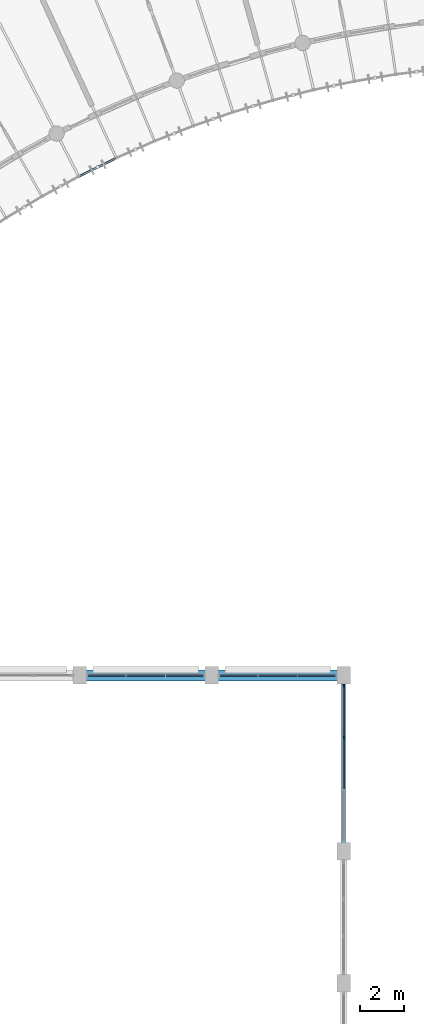
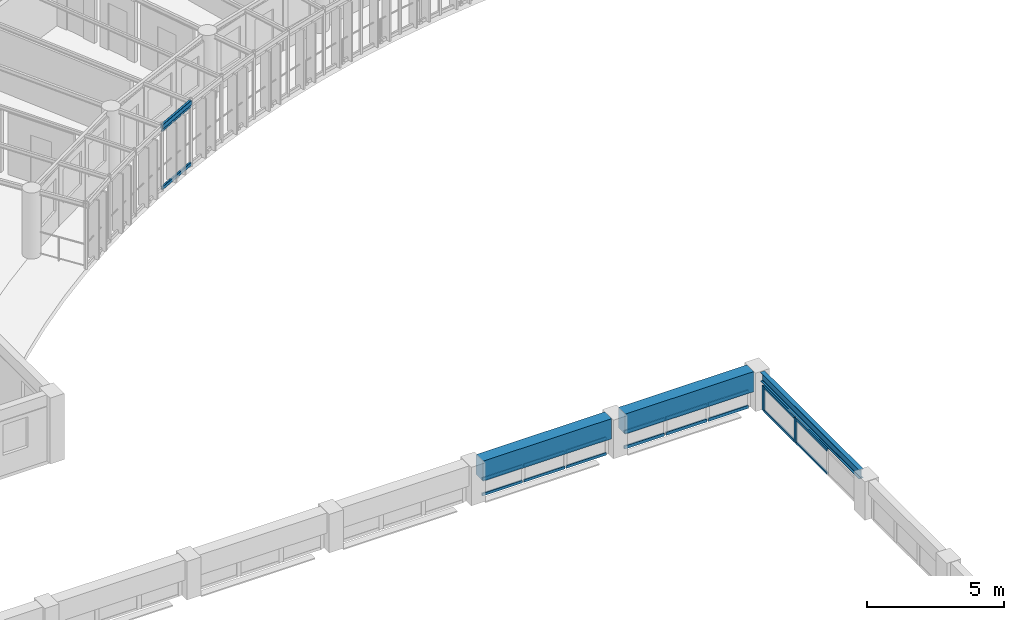
# One storey, part 47 of 137: 20 members, 4 beams, 3 elements without a shape of their own.
"""IFC4 building model written with IfcOpenShell, lengths in metres."""

from ifc_helpers import new_model, si_unit, direction, frame, origin, origin_2d, place, context, subcontext, project, spatial, rectangle, hollow_rectangle, i_section, extrude, material, layer, layer_set, material_profile, profile_set, type_object, element, aggregate, save


model = new_model("IFC4")

# Units and contexts
model_context = context("Model", 3, precision=1e-05, world=origin(), true_north=direction((0.0, 1.0)))
body_context = subcontext(model_context, "Body", "Model", "MODEL_VIEW")
ifc_project = project(units=[si_unit("LENGTHUNIT", "METRE"), si_unit("AREAUNIT", "SQUARE_METRE"), si_unit("VOLUMEUNIT", "CUBIC_METRE"), si_unit("PLANEANGLEUNIT", "RADIAN"), si_unit("MASSUNIT", "GRAM", prefix="KILO"), si_unit("POWERUNIT", "WATT"), si_unit("THERMODYNAMICTEMPERATUREUNIT", "KELVIN")], contexts=[model_context])

# Site, building, storey
site_placement = place(None, origin())
site = spatial("IfcSite", under=ifc_project, at=site_placement, CompositionType="ELEMENT")
building_placement = place(site_placement, origin())
building = spatial("IfcBuilding", under=site, at=building_placement, Name="Ruvembo Vaulted Housing Court", CompositionType="ELEMENT")
storey_placement = place(building_placement, frame((0.0, 0.0, 4.5)))
storey = spatial("IfcBuildingStorey", under=building, at=storey_placement, Name="L01", CompositionType="ELEMENT", Elevation=4.5)

# Beams
ifc_material_1 = material(Name="Steel S355J2", Category="steel")
ifc_material_profile_1 = material_profile(ifc_material_1, i_section(OverallWidth=0.179931640625, OverallDepth=0.39990234375, WebThickness=0.008544921875, FlangeThickness=0.013427734375, FilletRadius=0.02099609375, at=origin_2d()), Name="IPE 400")
ifc_profile_set_1 = profile_set([ifc_material_profile_1], Name="Steel S355J2")
beam_type_1 = type_object("IfcBeamType", Name="BM-ST-IPE400", PredefinedType="BEAM", material=ifc_profile_set_1)
beam_1_placement = place(storey_placement, frame((108.0, 60.385009765625, 1.493896484375), z_axis=(0.0, 1.0, 0.0), x_axis=(-1.0, 0.0, 0.0)))
element("IfcBeam", 1, at=beam_1_placement, inside=storey, type_object=beam_type_1, Name="L01 Grid Beam Y #1395", PredefinedType="BEAM", context=body_context, shape_type="SweptSolid", body=[
    extrude(i_section(OverallWidth=0.179931640625, OverallDepth=0.39990234375, WebThickness=0.008544921875, FlangeThickness=0.013427734375, FilletRadius=0.02099609375, at=origin_2d()), origin(), (0.0, 0.0, 1.0), 7.22998046875),
])
ifc_material_profile_2 = material_profile(ifc_material_1, hollow_rectangle(XDim=0.10009765625, YDim=0.199951171875, WallThickness=0.008056640625, InnerFilletRadius=0.008056640625, OuterFilletRadius=0.01611328125, at=origin_2d()), Name="RHS 200x100x8")
ifc_profile_set_2 = profile_set([ifc_material_profile_2], Name="Steel S355J2")
beam_type_2 = type_object("IfcBeamType", Name="BM-ST-RHS200", PredefinedType="SPANDREL", material=ifc_profile_set_2)
beam_2_placement = place(storey_placement, frame((95.95751953125, 90.6796875, 2.840087890625), z_axis=(0.897513310314, 0.44098736695, 0.0), x_axis=(-0.44098736695, 0.897513310314, 0.0)))
element("IfcBeam", 2, at=beam_2_placement, inside=storey, type_object=beam_type_2, Name="Scoop SC3 L01 Balcony Edge Spandrel 3", PredefinedType="SPANDREL", context=body_context, shape_type="SweptSolid", body=[
    extrude(hollow_rectangle(XDim=0.10009765625, YDim=0.199951171875, WallThickness=0.008056640625, InnerFilletRadius=0.008056640625, OuterFilletRadius=0.01611328125, at=origin_2d()), origin(), (0.0, 0.0, 1.0), 1.901123046875),
])

# Curtain wall, members
ifc_material_2 = material(Name="Anodised Aluminium and Solar-Control Glass", Category="aluminium")
ifc_layer_1 = layer(ifc_material_2, 0.179931640625, Name="Anodised Aluminium and Solar-Control Glass")
ifc_layer_set_1 = layer_set([ifc_layer_1], Name="Anodised Aluminium and Solar-Control Glass")
curtain_wall_type_1 = type_object("IfcCurtainWallType", Name="CW-HALL-TYMP", PredefinedType="NOTDEFINED", material=ifc_layer_set_1)
curtain_wall_1_placement = place(storey_placement, origin())
curtain_wall_1 = element("IfcCurtainWall", 3, at=curtain_wall_1_placement, inside=storey, type_object=curtain_wall_type_1, Name="L01 Curtain Wall CW-L01-0128", PredefinedType="NOTDEFINED")
ifc_material_3 = material(Name="Anodised Aluminium 6063-T6", Category="aluminium")
ifc_material_profile_3 = material_profile(ifc_material_3, rectangle(XDim=0.06005859375, YDim=0.139892578125, at=origin_2d()), Name="ALU 60x140")
ifc_profile_set_3 = profile_set([ifc_material_profile_3], Name="Anodised Aluminium 6063-T6")
member_type_1 = type_object("IfcMemberType", Name="CW-MUL-60x140", PredefinedType="MULLION", material=ifc_profile_set_3)
member_1_placement = place(storey_placement, frame((108.0, 65.183349609375, 0.0), z_axis=(0.0, 0.0, 1.0), x_axis=(-1.0, 0.0, 0.0)))
member_1 = element("IfcMember", 4, at=member_1_placement, type_object=member_type_1, Name="CW2 mullion 3", PredefinedType="MULLION", context=body_context, shape_type="SweptSolid", body=[
    extrude(rectangle(XDim=0.06005859375, YDim=0.139892578125, at=origin_2d()), origin(), (0.0, 0.0, 1.0), 1.10009765625),
])
member_2_placement = place(storey_placement, frame((108.0, 67.52001953125, 0.0), z_axis=(0.0, 0.0, 1.0), x_axis=(-1.0, 0.0, 0.0)))
member_2 = element("IfcMember", 5, at=member_2_placement, type_object=member_type_1, Name="CW2 mullion 4", PredefinedType="MULLION", context=body_context, shape_type="SweptSolid", body=[
    extrude(rectangle(XDim=0.06005859375, YDim=0.139892578125, at=origin_2d()), origin(), (0.0, 0.0, 1.0), 1.10009765625),
])

ifc_layer_2 = layer(ifc_material_2, 0.139892578125, Name="Anodised Aluminium and Solar-Control Glass")
ifc_layer_set_2 = layer_set([ifc_layer_2], Name="Anodised Aluminium and Solar-Control Glass")
curtain_wall_type_2 = type_object("IfcCurtainWallType", Name="CW-HALL-CLER", PredefinedType="NOTDEFINED", material=ifc_layer_set_2)
curtain_wall_2_placement = place(storey_placement, origin())
curtain_wall_2 = element("IfcCurtainWall", 6, at=curtain_wall_2_placement, inside=storey, type_object=curtain_wall_type_2, Name="L01 Curtain Wall CW-L01-0108", PredefinedType="NOTDEFINED")
ifc_material_profile_4 = material_profile(ifc_material_3, rectangle(XDim=0.06005859375, YDim=0.1201171875, at=origin_2d()), Name="ALU 60x120")
ifc_profile_set_4 = profile_set([ifc_material_profile_4], Name="Anodised Aluminium 6063-T6")
member_type_2 = type_object("IfcMemberType", Name="CW-TRANSOM-65x120", PredefinedType="USERDEFINED", material=ifc_profile_set_4)
member_3_placement = place(storey_placement, frame((96.385009765625, 68.0, 0.030029296875), z_axis=(1.0, 0.0, 0.0), x_axis=(0.0, 1.0, 0.0)))
member_3 = element("IfcMember", 7, at=member_3_placement, type_object=member_type_2, Name="CW7 transom 1.1", ObjectType="TRANSOM", PredefinedType="USERDEFINED", context=body_context, shape_type="SweptSolid", body=[
    extrude(rectangle(XDim=0.06005859375, YDim=0.1201171875, at=origin_2d()), origin(), (0.0, 0.0, 1.0), 1.693359375),
])
member_4_placement = place(storey_placement, frame((96.385009765625, 68.0, 0.719970703125), z_axis=(1.0, 0.0, 0.0), x_axis=(0.0, 1.0, 0.0)))
member_4 = element("IfcMember", 8, at=member_4_placement, type_object=member_type_2, Name="CW7 transom 1.2", ObjectType="TRANSOM", PredefinedType="USERDEFINED", context=body_context, shape_type="SweptSolid", body=[
    extrude(rectangle(XDim=0.06005859375, YDim=0.1201171875, at=origin_2d()), origin(), (0.0, 0.0, 1.0), 1.693359375),
])
member_5_placement = place(storey_placement, frame((98.138427734375, 68.0, 0.030029296875), z_axis=(1.0, 0.0, 0.0), x_axis=(0.0, 1.0, 0.0)))
member_5 = element("IfcMember", 9, at=member_5_placement, type_object=member_type_2, Name="CW7 transom 2.1", ObjectType="TRANSOM", PredefinedType="USERDEFINED", context=body_context, shape_type="SweptSolid", body=[
    extrude(rectangle(XDim=0.06005859375, YDim=0.1201171875, at=origin_2d()), origin(), (0.0, 0.0, 1.0), 1.72314453125),
])
member_6_placement = place(storey_placement, frame((98.138427734375, 68.0, 0.719970703125), z_axis=(1.0, 0.0, 0.0), x_axis=(0.0, 1.0, 0.0)))
member_6 = element("IfcMember", 10, at=member_6_placement, type_object=member_type_2, Name="CW7 transom 2.2", ObjectType="TRANSOM", PredefinedType="USERDEFINED", context=body_context, shape_type="SweptSolid", body=[
    extrude(rectangle(XDim=0.06005859375, YDim=0.1201171875, at=origin_2d()), origin(), (0.0, 0.0, 1.0), 1.72314453125),
])
member_7_placement = place(storey_placement, frame((99.921630859375, 68.0, 0.030029296875), z_axis=(1.0, 0.0, 0.0), x_axis=(0.0, 1.0, 0.0)))
member_7 = element("IfcMember", 11, at=member_7_placement, type_object=member_type_2, Name="CW7 transom 3.1", ObjectType="TRANSOM", PredefinedType="USERDEFINED", context=body_context, shape_type="SweptSolid", body=[
    extrude(rectangle(XDim=0.06005859375, YDim=0.1201171875, at=origin_2d()), origin(), (0.0, 0.0, 1.0), 1.693359375),
])
member_8_placement = place(storey_placement, frame((99.921630859375, 68.0, 0.719970703125), z_axis=(1.0, 0.0, 0.0), x_axis=(0.0, 1.0, 0.0)))
member_8 = element("IfcMember", 12, at=member_8_placement, type_object=member_type_2, Name="CW7 transom 3.2", ObjectType="TRANSOM", PredefinedType="USERDEFINED", context=body_context, shape_type="SweptSolid", body=[
    extrude(rectangle(XDim=0.06005859375, YDim=0.1201171875, at=origin_2d()), origin(), (0.0, 0.0, 1.0), 1.693359375),
])
aggregate(curtain_wall_2, [member_3, member_4, member_5, member_6, member_7, member_8])

# Member
ifc_material_profile_5 = material_profile(ifc_material_3, rectangle(XDim=0.06005859375, YDim=0.10009765625, at=origin_2d()), Name="ALU 60x100")
ifc_profile_set_5 = profile_set([ifc_material_profile_5], Name="Anodised Aluminium 6063-T6")
member_type_3 = type_object("IfcMemberType", Name="CW-TRN-60x100", PredefinedType="USERDEFINED", material=ifc_profile_set_5)
member_9_placement = place(storey_placement, frame((108.0, 62.8466796875, 0.030029296875), z_axis=(0.0, 1.0, 0.0), x_axis=(-1.0, 0.0, 0.0)))
member_9 = element("IfcMember", 13, at=member_9_placement, type_object=member_type_3, Name="CW2 transom 2.1", ObjectType="TRANSOM", PredefinedType="USERDEFINED", context=body_context, shape_type="SweptSolid", body=[
    extrude(rectangle(XDim=0.06005859375, YDim=0.10009765625, at=origin_2d()), origin(), (0.0, 0.0, 1.0), 2.306640625),
])

member_10_placement = place(storey_placement, frame((108.0, 62.8466796875, 1.070068359375), z_axis=(0.0, 1.0, 0.0), x_axis=(-1.0, 0.0, 0.0)))
member_10 = element("IfcMember", 14, at=member_10_placement, type_object=member_type_3, Name="CW2 transom 2.2", ObjectType="TRANSOM", PredefinedType="USERDEFINED", context=body_context, shape_type="SweptSolid", body=[
    extrude(rectangle(XDim=0.06005859375, YDim=0.10009765625, at=origin_2d()), origin(), (0.0, 0.0, 1.0), 2.306640625),
])

member_11_placement = place(storey_placement, frame((108.0, 65.21337890625, 0.030029296875), z_axis=(0.0, 1.0, 0.0), x_axis=(-1.0, 0.0, 0.0)))
member_11 = element("IfcMember", 15, at=member_11_placement, type_object=member_type_3, Name="CW2 transom 3.1", ObjectType="TRANSOM", PredefinedType="USERDEFINED", context=body_context, shape_type="SweptSolid", body=[
    extrude(rectangle(XDim=0.06005859375, YDim=0.10009765625, at=origin_2d()), origin(), (0.0, 0.0, 1.0), 2.276611328125),
])

member_12_placement = place(storey_placement, frame((108.0, 65.21337890625, 1.070068359375), z_axis=(0.0, 1.0, 0.0), x_axis=(-1.0, 0.0, 0.0)))
member_12 = element("IfcMember", 16, at=member_12_placement, type_object=member_type_3, Name="CW2 transom 3.2", ObjectType="TRANSOM", PredefinedType="USERDEFINED", context=body_context, shape_type="SweptSolid", body=[
    extrude(rectangle(XDim=0.06005859375, YDim=0.10009765625, at=origin_2d()), origin(), (0.0, 0.0, 1.0), 2.276611328125),
])

aggregate(curtain_wall_1, [member_1, member_2, member_9, member_10, member_11, member_12])

# Curtain wall, members
curtain_wall_3_placement = place(storey_placement, origin())
curtain_wall_3 = element("IfcCurtainWall", 17, at=curtain_wall_3_placement, inside=storey, type_object=curtain_wall_type_2, Name="L01 Curtain Wall CW-L01-0112", PredefinedType="NOTDEFINED")
ifc_material_profile_6 = material_profile(ifc_material_3, rectangle(XDim=0.06494140625, YDim=0.135009765625, at=origin_2d()), Name="ALU 65x135")
ifc_profile_set_6 = profile_set([ifc_material_profile_6], Name="Anodised Aluminium 6063-T6")
member_type_4 = type_object("IfcMemberType", Name="CW-TRN-65x135", PredefinedType="USERDEFINED", material=ifc_profile_set_6)
member_13_placement = place(storey_placement, frame((102.385009765625, 68.0, 0.032470703125), z_axis=(1.0, 0.0, 0.0), x_axis=(0.0, 1.0, 0.0)))
member_13 = element("IfcMember", 18, at=member_13_placement, type_object=member_type_4, Name="CW7 transom 1.1", ObjectType="TRANSOM", PredefinedType="USERDEFINED", context=body_context, shape_type="SweptSolid", body=[
    extrude(rectangle(XDim=0.06494140625, YDim=0.135009765625, at=origin_2d()), origin(), (0.0, 0.0, 1.0), 1.693359375),
])
member_14_placement = place(storey_placement, frame((102.385009765625, 68.0, 0.717529296875), z_axis=(1.0, 0.0, 0.0), x_axis=(0.0, 1.0, 0.0)))
member_14 = element("IfcMember", 19, at=member_14_placement, type_object=member_type_4, Name="CW7 transom 1.2", ObjectType="TRANSOM", PredefinedType="USERDEFINED", context=body_context, shape_type="SweptSolid", body=[
    extrude(rectangle(XDim=0.06494140625, YDim=0.135009765625, at=origin_2d()), origin(), (0.0, 0.0, 1.0), 1.693359375),
])
member_15_placement = place(storey_placement, frame((104.138427734375, 68.0, 0.032470703125), z_axis=(1.0, 0.0, 0.0), x_axis=(0.0, 1.0, 0.0)))
member_15 = element("IfcMember", 20, at=member_15_placement, type_object=member_type_4, Name="CW7 transom 2.1", ObjectType="TRANSOM", PredefinedType="USERDEFINED", context=body_context, shape_type="SweptSolid", body=[
    extrude(rectangle(XDim=0.06494140625, YDim=0.135009765625, at=origin_2d()), origin(), (0.0, 0.0, 1.0), 1.72314453125),
])
member_16_placement = place(storey_placement, frame((104.138427734375, 68.0, 0.717529296875), z_axis=(1.0, 0.0, 0.0), x_axis=(0.0, 1.0, 0.0)))
member_16 = element("IfcMember", 21, at=member_16_placement, type_object=member_type_4, Name="CW7 transom 2.2", ObjectType="TRANSOM", PredefinedType="USERDEFINED", context=body_context, shape_type="SweptSolid", body=[
    extrude(rectangle(XDim=0.06494140625, YDim=0.135009765625, at=origin_2d()), origin(), (0.0, 0.0, 1.0), 1.72314453125),
])
member_17_placement = place(storey_placement, frame((105.921630859375, 68.0, 0.032470703125), z_axis=(1.0, 0.0, 0.0), x_axis=(0.0, 1.0, 0.0)))
member_17 = element("IfcMember", 22, at=member_17_placement, type_object=member_type_4, Name="CW7 transom 3.1", ObjectType="TRANSOM", PredefinedType="USERDEFINED", context=body_context, shape_type="SweptSolid", body=[
    extrude(rectangle(XDim=0.06494140625, YDim=0.135009765625, at=origin_2d()), origin(), (0.0, 0.0, 1.0), 1.693359375),
])
member_18_placement = place(storey_placement, frame((105.921630859375, 68.0, 0.717529296875), z_axis=(1.0, 0.0, 0.0), x_axis=(0.0, 1.0, 0.0)))
member_18 = element("IfcMember", 23, at=member_18_placement, type_object=member_type_4, Name="CW7 transom 3.2", ObjectType="TRANSOM", PredefinedType="USERDEFINED", context=body_context, shape_type="SweptSolid", body=[
    extrude(rectangle(XDim=0.06494140625, YDim=0.135009765625, at=origin_2d()), origin(), (0.0, 0.0, 1.0), 1.693359375),
])
aggregate(curtain_wall_3, [member_13, member_14, member_15, member_16, member_17, member_18])

# Members
ifc_material_profile_7 = material_profile(ifc_material_1, hollow_rectangle(XDim=0.06005859375, YDim=0.1201171875, WallThickness=0.0048828125, InnerFilletRadius=0.0048828125, OuterFilletRadius=0.010009765625, at=origin_2d()), Name="RHS 120x60x5")
ifc_profile_set_7 = profile_set([ifc_material_profile_7], Name="Steel S355J2")
member_type_5 = type_object("IfcMemberType", Name="MEM-CAR-RHS120", PredefinedType="CHORD", material=ifc_profile_set_7)
member_19_placement = place(storey_placement, frame((95.95751953125, 90.6796875, 2.68310546875), z_axis=(0.897513310314, 0.44098736695, 0.0), x_axis=(-0.44098736695, 0.897513310314, 0.0)))
element("IfcMember", 24, at=member_19_placement, inside=storey, type_object=member_type_5, Name="Scoop SC3 L01 Upper Louvre Carrier Rail 3", PredefinedType="CHORD", context=body_context, shape_type="SweptSolid", body=[
    extrude(hollow_rectangle(XDim=0.06005859375, YDim=0.1201171875, WallThickness=0.0048828125, InnerFilletRadius=0.0048828125, OuterFilletRadius=0.010009765625, at=origin_2d()), origin(), (0.0, 0.0, 1.0), 1.901123046875),
])
ifc_material_profile_8 = material_profile(ifc_material_1, hollow_rectangle(XDim=0.080078125, YDim=0.14990234375, WallThickness=0.00634765625, InnerFilletRadius=0.00634765625, OuterFilletRadius=0.0126953125, at=origin_2d()), Name="RHS 150x80x6.3")
ifc_profile_set_8 = profile_set([ifc_material_profile_8], Name="Steel S355J2")
member_type_6 = type_object("IfcMemberType", Name="MEM-CAR-RHS150", PredefinedType="CHORD", material=ifc_profile_set_8)
member_20_placement = place(storey_placement, frame((95.95751953125, 90.6796875, 0.094970703125), z_axis=(0.897513310314, 0.44098736695, 0.0), x_axis=(-0.44098736695, 0.897513310314, 0.0)))
element("IfcMember", 25, at=member_20_placement, inside=storey, type_object=member_type_6, Name="Scoop SC3 L01 Lower Louvre Carrier Rail 3", PredefinedType="CHORD", context=body_context, shape_type="SweptSolid", body=[
    extrude(hollow_rectangle(XDim=0.080078125, YDim=0.14990234375, WallThickness=0.00634765625, InnerFilletRadius=0.00634765625, OuterFilletRadius=0.0126953125, at=origin_2d()), origin(), (0.0, 0.0, 1.0), 1.901123046875),
])

# Beams
ifc_material_4 = material(Name="Concrete C35/45", Category="concrete")
ifc_material_profile_9 = material_profile(ifc_material_4, rectangle(XDim=0.5, YDim=0.89990234375, at=origin_2d()), Name="RC 500x900")
ifc_profile_set_9 = profile_set([ifc_material_profile_9], Name="Concrete C35/45")
beam_type_3 = type_object("IfcBeamType", Name="SP-RC-500x900", PredefinedType="SPANDREL", material=ifc_profile_set_9)
for number, where, z_axis, x_axis, name in (
    (26, (96.284912109375, 68.0, 1.25), (1.0, 0.0, 0.0), (0.0, 1.0, 0.0), "L01 Grid Beam X #1226"),
    (27, (102.284912109375, 68.0, 1.25), (1.0, 0.0, 0.0), (0.0, 1.0, 0.0), "L01 Grid Beam X #1227"),
):
    element("IfcBeam", number, at=place(storey_placement, frame(where, z_axis=z_axis, x_axis=x_axis)), inside=storey, type_object=beam_type_3, Name=name, PredefinedType="SPANDREL", context=body_context, shape_type="SweptSolid", body=[
        extrude(rectangle(XDim=0.5, YDim=0.89990234375, at=origin_2d()), origin(), (0.0, 0.0, 1.0), 5.43017578125),
    ])

save(model, "model.ifc")
